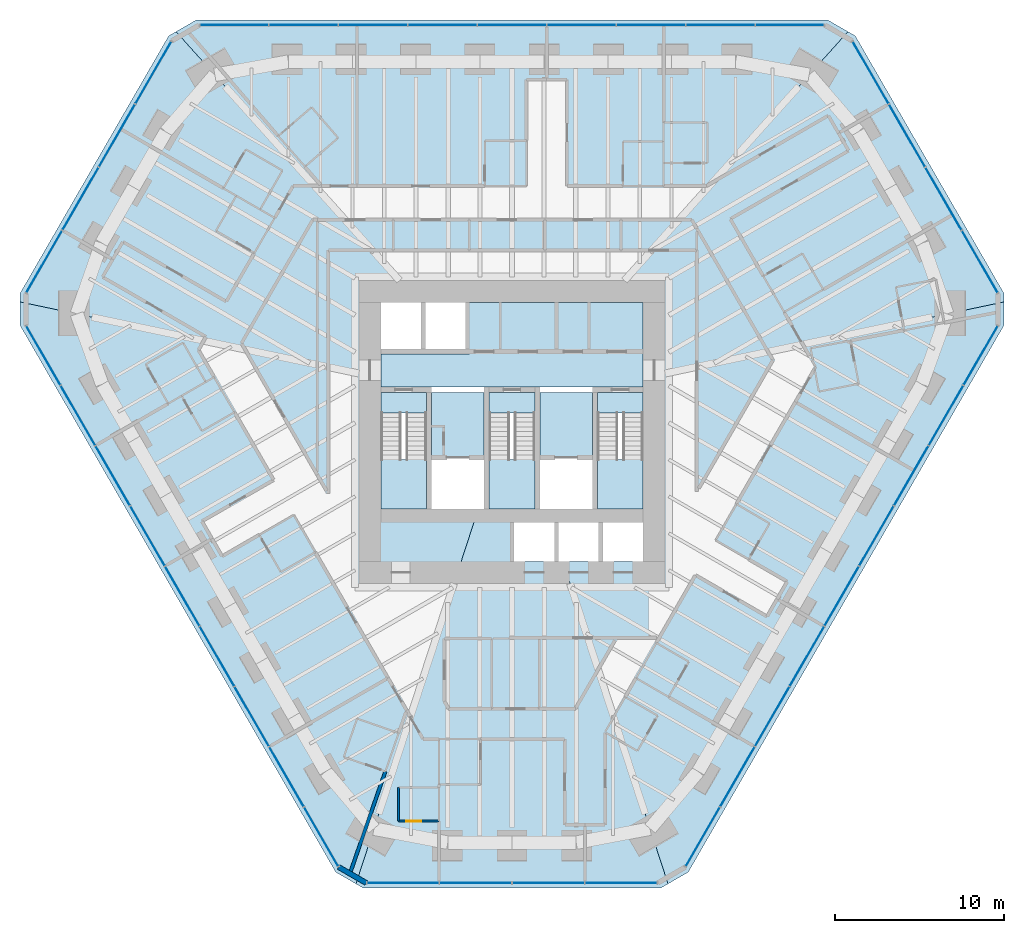
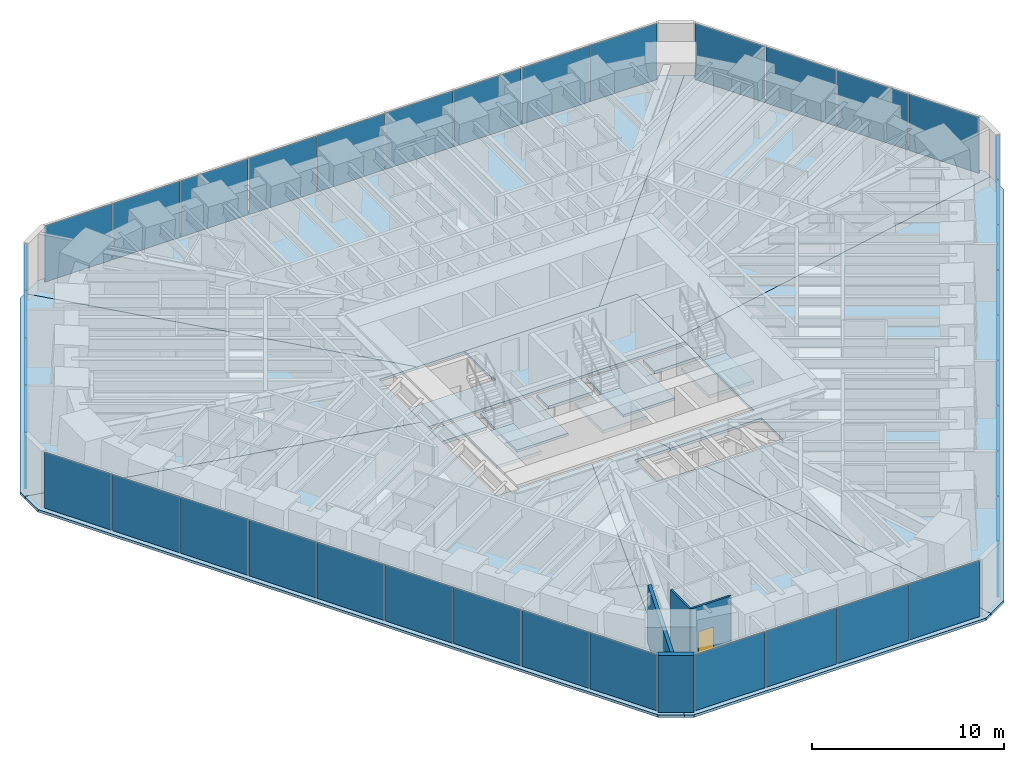
# One storey, part 10 of 17: 39 plates, 15 slabs, 4 walls, 1 door, 1 opening, 9 elements without a shape of their own.
"""IFC4 building model written with IfcOpenShell, lengths in metres."""

import ifcopenshell
import ifcopenshell.guid

model = None  # the IFC model being written
_history = None  # IfcOwnerHistory: only IFC2X3 demands one
_inside = {}  # id of a spatial element -> (the spatial element, [elements in it])
_under = {}  # id of a project, library or spatial element -> (it, [spatial elements below it])
_declared = {}  # id of a project -> (the project, [libraries it declares])
_typed = {}  # id of a type object -> (the type object, [elements of that type])
_made_of = {}  # id of a material, layer set ... -> (it, [elements and type objects made of it])


def new_model(schema):
    """Start an empty IFC model of exactly this schema.

    Asked for "IFC4X3", IfcOpenShell would pick the latest addendum, in which some entities
    have other attributes; the version numbers below select the first issue.
    IFC2X3 requires an IfcOwnerHistory on every rooted entity: one is made here for all.
    """
    global model, _history
    if schema == "IFC4X3":
        model = ifcopenshell.file(schema_version=(4, 3, 0, 0))
    else:
        model = ifcopenshell.file(schema=schema)
    _inside.clear()
    _under.clear()
    _declared.clear()
    _typed.clear()
    _made_of.clear()
    _history = None
    if model.schema == "IFC2X3":
        org = make("IfcOrganization", Name="unknown")
        user = make(
            "IfcPersonAndOrganization",
            ThePerson=make("IfcPerson", FamilyName="unknown"),
            TheOrganization=org,
        )
        app = make(
            "IfcApplication",
            ApplicationDeveloper=org,
            Version="unknown",
            ApplicationFullName="unknown",
            ApplicationIdentifier="unknown",
        )
        _history = make(
            "IfcOwnerHistory",
            OwningUser=user,
            OwningApplication=app,
            ChangeAction="ADDED",
            CreationDate=0,
        )
    return model


def make(cls, **values):
    """One entity of the class cls with the attributes given. An attribute that is None is left unset."""
    return model.create_entity(
        cls, **{name: value for name, value in values.items() if value is not None}
    )


def rooted(cls, **values):
    """An entity with a GlobalId (a new one), such as an element, a storey or a relation."""
    return make(cls, GlobalId=ifcopenshell.guid.new(), OwnerHistory=_history, **values)


def si_unit(unit_type, name, prefix=None):
    """IfcSIUnit, for example si_unit("LENGTHUNIT", "METRE", prefix="MILLI")."""
    return make("IfcSIUnit", UnitType=unit_type, Prefix=prefix, Name=name)


def assignment(units):
    """IfcUnitAssignment: the units of a project."""
    return None if units is None else make("IfcUnitAssignment", Units=units)


def point(xyz):
    """IfcCartesianPoint."""
    return None if xyz is None else make("IfcCartesianPoint", Coordinates=xyz)


def direction(xyz):
    """IfcDirection."""
    return None if xyz is None else make("IfcDirection", DirectionRatios=xyz)


def frame(location, z_axis=None, x_axis=None):
    """IfcAxis2Placement3D, a coordinate frame: its origin and axes. An axis left out is left unset."""
    return make(
        "IfcAxis2Placement3D",
        Location=point(location),
        Axis=direction(z_axis),
        RefDirection=direction(x_axis),
    )


def frame_2d(location, x_axis=None):
    """IfcAxis2Placement2D, a coordinate frame in the plane: its origin and x axis."""
    return make(
        "IfcAxis2Placement2D", Location=point(location), RefDirection=direction(x_axis)
    )


def origin():
    """The frame at (0, 0, 0) with its axes left unset."""
    return frame((0.0, 0.0, 0.0))


def origin_2d():
    """The frame at (0, 0) in the plane with its x axis left unset."""
    return frame_2d((0.0, 0.0))


def place(relative_to, where):
    """IfcLocalPlacement: puts the frame where relative to a parent placement (None: the world)."""
    return make(
        "IfcLocalPlacement", PlacementRelTo=relative_to, RelativePlacement=where
    )


def context(
    kind, dimensions, precision=None, world=None, true_north=None, identifier=None
):
    """IfcGeometricRepresentationContext, for example the 3D "Model" context."""
    return make(
        "IfcGeometricRepresentationContext",
        ContextIdentifier=identifier,
        ContextType=kind,
        CoordinateSpaceDimension=dimensions,
        Precision=precision,
        WorldCoordinateSystem=world,
        TrueNorth=true_north,
    )


def subcontext(parent, identifier, kind, view, scale=None):
    """IfcGeometricRepresentationSubContext, for example "Body" below "Model"."""
    return make(
        "IfcGeometricRepresentationSubContext",
        ContextIdentifier=identifier,
        ContextType=kind,
        ParentContext=parent,
        TargetScale=scale,
        TargetView=view,
    )


def project(units=None, contexts=None):
    """IfcProject with its units and contexts."""
    return rooted(
        "IfcProject",
        Name="project",
        RepresentationContexts=contexts,
        UnitsInContext=assignment(units),
    )


def spatial(cls, under=None, at=None, **own):
    """A site, building, storey or space (cls), placed at a placement, below another one or the project."""
    s = rooted(cls, ObjectPlacement=at, **own)
    if under is not None:
        _under.setdefault(under.id(), (under, []))[1].append(s)
    return s


def polyline(points):
    """IfcPolyline through the points."""
    return make("IfcPolyline", Points=[point(p) for p in points])


def profile(cls, at=None, kind="AREA", **sizes):
    """A parametric profile (cls). Its sizes go by their IFC names, for example OverallWidth=200.0."""
    return make(cls, ProfileType=kind, Position=at, **sizes)


def rectangle(**sizes):
    """IfcRectangleProfileDef."""
    return profile("IfcRectangleProfileDef", **sizes)


def outline(outer, holes=None, kind="AREA"):
    """IfcArbitraryClosedProfileDef: a profile drawn as a closed curve; with holes, ...WithVoids."""
    if holes is None:
        return make("IfcArbitraryClosedProfileDef", ProfileType=kind, OuterCurve=outer)
    return make(
        "IfcArbitraryProfileDefWithVoids",
        ProfileType=kind,
        OuterCurve=outer,
        InnerCurves=holes,
    )


def extrude(swept, where, along, depth):
    """IfcExtrudedAreaSolid: the profile swept, set in the frame where, extruded along a direction by depth."""
    return make(
        "IfcExtrudedAreaSolid",
        SweptArea=swept,
        Position=where,
        ExtrudedDirection=direction(along),
        Depth=depth,
    )


def shape(context_of_items, identifier, shape_type, items):
    """IfcShapeRepresentation: the items that make up one representation, for example the "Body"."""
    return make(
        "IfcShapeRepresentation",
        ContextOfItems=context_of_items,
        RepresentationIdentifier=identifier,
        RepresentationType=shape_type,
        Items=items,
    )


def material(Name=None, Category=None):
    """IfcMaterial."""
    return make("IfcMaterial", Name=Name, Category=Category)


def layer(
    of_material, thickness, ventilated=None, Name=None, Category=None, Priority=None
):
    """IfcMaterialLayer: one layer of a wall or slab, of a material (None: an air gap)."""
    return make(
        "IfcMaterialLayer",
        Material=of_material,
        LayerThickness=thickness,
        IsVentilated=ventilated,
        Name=Name,
        Category=Category,
        Priority=Priority,
    )


def layer_set(layers, Name=None):
    """IfcMaterialLayerSet."""
    return make("IfcMaterialLayerSet", MaterialLayers=layers, LayerSetName=Name)


def made_of(thing, what):
    """Note that an element or type object is made of a material, layer set ...; save() writes the relation."""
    if what is not None:
        _made_of.setdefault(what.id(), (what, []))[1].append(thing)
    return thing


def type_object(cls, material=None, **own):
    """A type object (cls), such as IfcWallType, which elements share."""
    return made_of(rooted(cls, **own), material)


def element(
    cls,
    number,
    at=None,
    inside=None,
    cuts=None,
    type_object=None,
    material=None,
    context=None,
    identifier="Body",
    shape_type=None,
    held_by="IfcProductDefinitionShape",
    body=None,
    shapes=None,
    **own,
):
    """One element of the class cls, such as IfcWall. Its Tag is "e" and its number.

    at: its placement. inside: the storey or other place that contains it. cuts: it is an
    opening in that element (IfcRelVoidsElement). A single representation is given by context,
    identifier, shape_type and body (its items); several are given by shapes. held_by: the class
    of the entity that holds the representations. save() writes the other relations.
    """
    e = rooted(cls, Tag="e%d" % number, ObjectPlacement=at, **own)
    if body is not None:
        shapes = [shape(context, identifier, shape_type, body)]
    if shapes is not None:
        e.Representation = make(held_by, Representations=shapes)
    if inside is not None:
        _inside.setdefault(inside.id(), (inside, []))[1].append(e)
    if cuts is not None:
        rooted(
            "IfcRelVoidsElement", RelatingBuildingElement=cuts, RelatedOpeningElement=e
        )
    if type_object is not None:
        _typed.setdefault(type_object.id(), (type_object, []))[1].append(e)
    return made_of(e, material)


def fill(opening, filler):
    """IfcRelFillsElement: the door or window that sits in an opening."""
    return rooted(
        "IfcRelFillsElement",
        RelatingOpeningElement=opening,
        RelatedBuildingElement=filler,
    )


def aggregate(whole, parts):
    """IfcRelAggregates: a whole, such as a stair, and the parts it consists of."""
    return rooted("IfcRelAggregates", RelatingObject=whole, RelatedObjects=parts)


def save(model, path):
    """Write the relations noted so far, then the file.

    IfcRelAggregates (storeys below a building ...), IfcRelContainedInSpatialStructure (elements
    in a storey), IfcRelDefinesByType, IfcRelAssociatesMaterial and IfcRelDeclares: one each for
    every whole, place, type object, material and project.
    """
    for whole, parts in _under.values():
        aggregate(whole, parts)
    for where, things in _inside.values():
        rooted(
            "IfcRelContainedInSpatialStructure",
            RelatedElements=things,
            RelatingStructure=where,
        )
    for kind, things in _typed.values():
        rooted("IfcRelDefinesByType", RelatedObjects=things, RelatingType=kind)
    for what, things in _made_of.values():
        rooted("IfcRelAssociatesMaterial", RelatedObjects=things, RelatingMaterial=what)
    for by, libraries in _declared.values():
        rooted("IfcRelDeclares", RelatingContext=by, RelatedDefinitions=libraries)
    model.write(path)


model = new_model("IFC4")

# Units and contexts
model_context = context("Model", 3, precision=1e-05, world=origin(), true_north=direction((0.0, 1.0)))
body_context = subcontext(model_context, "Body", "Model", "MODEL_VIEW")
ifc_project = project(units=[si_unit("LENGTHUNIT", "METRE"), si_unit("AREAUNIT", "SQUARE_METRE"), si_unit("VOLUMEUNIT", "CUBIC_METRE"), si_unit("PLANEANGLEUNIT", "RADIAN"), si_unit("MASSUNIT", "GRAM", prefix="KILO")], contexts=[model_context])

# Site, building, storey
site_placement = place(None, origin())
site = spatial("IfcSite", under=ifc_project, at=site_placement, CompositionType="ELEMENT")
building_placement = place(site_placement, origin())
building = spatial("IfcBuilding", under=site, at=building_placement, Name="Sandreach Pilgrim Tower", CompositionType="ELEMENT")
storey_placement = place(building_placement, frame((0.0, 0.0, 165.199951171875)))
storey = spatial("IfcBuildingStorey", under=building, at=storey_placement, Name="L41", CompositionType="ELEMENT", Elevation=165.199951171875)

# Curtain wall, plates
ifc_material_1 = material(Name="Aluminium framed curtain wall", Category="aluminium")
curtain_wall_type = type_object("IfcCurtainWallType", Name="Hotel tower curtain wall", PredefinedType="NOTDEFINED", material=ifc_material_1)
curtain_wall_1_placement = place(storey_placement, origin())
curtain_wall_1 = element("IfcCurtainWall", 1, at=curtain_wall_1_placement, inside=storey, type_object=curtain_wall_type, Name="CW-2 L41 N", PredefinedType="NOTDEFINED")
ifc_material_2 = material(Name="Insulating glass unit 8 heat-strengthened + 16 argon + 8 heat-strengthened", Category="glass")
ifc_layer_1 = layer(ifc_material_2, 0.031982421875)
ifc_layer_set_1 = layer_set([ifc_layer_1], Name="CW-2 panel")
plate_type = type_object("IfcPlateType", Name="CW-2 panel", PredefinedType="CURTAIN_PANEL", material=ifc_layer_set_1)
plate_1_placement = place(storey_placement, frame((-16.41162109375, 22.493896484375, 0.0), z_axis=(0.0, 0.0, 1.0), x_axis=(1.0, 0.0, 0.0)))
plate_1 = element("IfcPlate", 2, at=plate_1_placement, type_object=plate_type, Name="CW-2 panel 1", PredefinedType="CURTAIN_PANEL", context=body_context, shape_type="SweptSolid", body=[
    extrude(rectangle(XDim=4.009521484375, YDim=0.031982421875, at=origin_2d()), origin(), (0.0, 0.0, 1.0), 3.570068359375),
])
plate_2_placement = place(storey_placement, frame((-12.32080078125, 22.493896484375, 0.0), z_axis=(0.0, 0.0, 1.0), x_axis=(1.0, 0.0, 0.0)))
plate_2 = element("IfcPlate", 3, at=plate_2_placement, type_object=plate_type, Name="CW-2 panel 2", PredefinedType="CURTAIN_PANEL", context=body_context, shape_type="SweptSolid", body=[
    extrude(rectangle(XDim=4.0419921875, YDim=0.031982421875, at=origin_2d()), origin(), (0.0, 0.0, 1.0), 3.570068359375),
])
plate_3_placement = place(storey_placement, frame((-8.2138671875, 22.493896484375, 0.0), z_axis=(0.0, 0.0, 1.0), x_axis=(1.0, 0.0, 0.0)))
plate_3 = element("IfcPlate", 4, at=plate_3_placement, type_object=plate_type, Name="CW-2 panel 3", PredefinedType="CURTAIN_PANEL", context=body_context, shape_type="SweptSolid", body=[
    extrude(rectangle(XDim=4.0419921875, YDim=0.031982421875, at=origin_2d()), origin(), (0.0, 0.0, 1.0), 3.570068359375),
])
plate_4_placement = place(storey_placement, frame((-4.10693359375, 22.493896484375, 0.0), z_axis=(0.0, 0.0, 1.0), x_axis=(1.0, 0.0, 0.0)))
plate_4 = element("IfcPlate", 5, at=plate_4_placement, type_object=plate_type, Name="CW-2 panel 4", PredefinedType="CURTAIN_PANEL", context=body_context, shape_type="SweptSolid", body=[
    extrude(rectangle(XDim=4.0419921875, YDim=0.031982421875, at=origin_2d()), origin(), (0.0, 0.0, 1.0), 3.570068359375),
])
plate_5_placement = place(storey_placement, frame((0.0, 22.493896484375, 0.0), z_axis=(0.0, 0.0, 1.0), x_axis=(1.0, 0.0, 0.0)))
plate_5 = element("IfcPlate", 6, at=plate_5_placement, type_object=plate_type, Name="CW-2 panel 5", PredefinedType="CURTAIN_PANEL", context=body_context, shape_type="SweptSolid", body=[
    extrude(rectangle(XDim=4.0419921875, YDim=0.031982421875, at=origin_2d()), origin(), (0.0, 0.0, 1.0), 3.570068359375),
])
plate_6_placement = place(storey_placement, frame((4.10693359375, 22.493896484375, 0.0), z_axis=(0.0, 0.0, 1.0), x_axis=(1.0, 0.0, 0.0)))
plate_6 = element("IfcPlate", 7, at=plate_6_placement, type_object=plate_type, Name="CW-2 panel 6", PredefinedType="CURTAIN_PANEL", context=body_context, shape_type="SweptSolid", body=[
    extrude(rectangle(XDim=4.0419921875, YDim=0.031982421875, at=origin_2d()), origin(), (0.0, 0.0, 1.0), 3.570068359375),
])
plate_7_placement = place(storey_placement, frame((8.2138671875, 22.493896484375, 0.0), z_axis=(0.0, 0.0, 1.0), x_axis=(1.0, 0.0, 0.0)))
plate_7 = element("IfcPlate", 8, at=plate_7_placement, type_object=plate_type, Name="CW-2 panel 7", PredefinedType="CURTAIN_PANEL", context=body_context, shape_type="SweptSolid", body=[
    extrude(rectangle(XDim=4.0419921875, YDim=0.031982421875, at=origin_2d()), origin(), (0.0, 0.0, 1.0), 3.570068359375),
])
plate_8_placement = place(storey_placement, frame((12.32080078125, 22.493896484375, 0.0), z_axis=(0.0, 0.0, 1.0), x_axis=(1.0, 0.0, 0.0)))
plate_8 = element("IfcPlate", 9, at=plate_8_placement, type_object=plate_type, Name="CW-2 panel 8", PredefinedType="CURTAIN_PANEL", context=body_context, shape_type="SweptSolid", body=[
    extrude(rectangle(XDim=4.0419921875, YDim=0.031982421875, at=origin_2d()), origin(), (0.0, 0.0, 1.0), 3.570068359375),
])
plate_9_placement = place(storey_placement, frame((16.41162109375, 22.493896484375, 0.0), z_axis=(0.0, 0.0, 1.0), x_axis=(1.0, 0.0, 0.0)))
plate_9 = element("IfcPlate", 10, at=plate_9_placement, type_object=plate_type, Name="CW-2 panel 9", PredefinedType="CURTAIN_PANEL", context=body_context, shape_type="SweptSolid", body=[
    extrude(rectangle(XDim=4.009521484375, YDim=0.031982421875, at=origin_2d()), origin(), (0.0, 0.0, 1.0), 3.570068359375),
])
aggregate(curtain_wall_1, [plate_1, plate_2, plate_3, plate_4, plate_5, plate_6, plate_7, plate_8, plate_9])

curtain_wall_2_placement = place(storey_placement, origin())
curtain_wall_2 = element("IfcCurtainWall", 11, at=curtain_wall_2_placement, inside=storey, type_object=curtain_wall_type, Name="CW-2 L41 NE", PredefinedType="NOTDEFINED")
plate_10_placement = place(storey_placement, frame((21.194091796875, 19.67529296875, 0.0), z_axis=(0.0, 0.0, 1.0), x_axis=(0.5, -0.866025403784, 0.0)))
plate_10 = element("IfcPlate", 12, at=plate_10_placement, type_object=plate_type, Name="CW-2 panel 1", PredefinedType="CURTAIN_PANEL", context=body_context, shape_type="SweptSolid", body=[
    extrude(rectangle(XDim=4.208251953125, YDim=0.031982421875, at=origin_2d()), origin(), (0.0, 0.0, 1.0), 3.570068359375),
])
plate_11_placement = place(storey_placement, frame((23.3388671875, 15.96044921875, 0.0), z_axis=(0.0, 0.0, 1.0), x_axis=(0.5, -0.866025403784, 0.0)))
plate_11 = element("IfcPlate", 13, at=plate_11_placement, type_object=plate_type, Name="CW-2 panel 2", PredefinedType="CURTAIN_PANEL", context=body_context, shape_type="SweptSolid", body=[
    extrude(rectangle(XDim=4.24072265625, YDim=0.031982421875, at=origin_2d()), origin(), (0.0, 0.0, 1.0), 3.570068359375),
])
plate_12_placement = place(storey_placement, frame((25.49169921875, 12.231689453125, 0.0), z_axis=(0.0, 0.0, 1.0), x_axis=(0.5, -0.866025403784, 0.0)))
plate_12 = element("IfcPlate", 14, at=plate_12_placement, type_object=plate_type, Name="CW-2 panel 3", PredefinedType="CURTAIN_PANEL", context=body_context, shape_type="SweptSolid", body=[
    extrude(rectangle(XDim=4.24072265625, YDim=0.031982421875, at=origin_2d()), origin(), (0.0, 0.0, 1.0), 3.570068359375),
])
plate_13_placement = place(storey_placement, frame((27.63623046875, 8.516845703125, 0.0), z_axis=(0.0, 0.0, 1.0), x_axis=(0.5, -0.866025403784, 0.0)))
plate_13 = element("IfcPlate", 15, at=plate_13_placement, type_object=plate_type, Name="CW-2 panel 4", PredefinedType="CURTAIN_PANEL", context=body_context, shape_type="SweptSolid", body=[
    extrude(rectangle(XDim=4.208251953125, YDim=0.031982421875, at=origin_2d()), origin(), (0.0, 0.0, 1.0), 3.570068359375),
])
aggregate(curtain_wall_2, [plate_10, plate_11, plate_12, plate_13])

curtain_wall_3_placement = place(storey_placement, origin())
curtain_wall_3 = element("IfcCurtainWall", 16, at=curtain_wall_3_placement, inside=storey, type_object=curtain_wall_type, Name="CW-2 L41 SE", PredefinedType="NOTDEFINED")
plate_14_placement = place(storey_placement, frame((27.68603515625, 2.966064453125, 0.0), z_axis=(0.0, 0.0, 1.0), x_axis=(-0.5, -0.866025403784, 0.0)))
plate_14 = element("IfcPlate", 17, at=plate_14_placement, type_object=plate_type, Name="CW-2 panel 1", PredefinedType="CURTAIN_PANEL", context=body_context, shape_type="SweptSolid", body=[
    extrude(rectangle(XDim=4.009521484375, YDim=0.031982421875, at=origin_2d()), origin(), (0.0, 0.0, 1.0), 3.570068359375),
])
plate_15_placement = place(storey_placement, frame((25.640625, -0.57666015625, 0.0), z_axis=(0.0, 0.0, 1.0), x_axis=(-0.5, -0.866025403784, 0.0)))
plate_15 = element("IfcPlate", 18, at=plate_15_placement, type_object=plate_type, Name="CW-2 panel 2", PredefinedType="CURTAIN_PANEL", context=body_context, shape_type="SweptSolid", body=[
    extrude(rectangle(XDim=4.0419921875, YDim=0.031982421875, at=origin_2d()), origin(), (0.0, 0.0, 1.0), 3.570068359375),
])
plate_16_placement = place(storey_placement, frame((23.587158203125, -4.13330078125, 0.0), z_axis=(0.0, 0.0, 1.0), x_axis=(-0.5, -0.866025403784, 0.0)))
plate_16 = element("IfcPlate", 19, at=plate_16_placement, type_object=plate_type, Name="CW-2 panel 3", PredefinedType="CURTAIN_PANEL", context=body_context, shape_type="SweptSolid", body=[
    extrude(rectangle(XDim=4.0419921875, YDim=0.031982421875, at=origin_2d()), origin(), (0.0, 0.0, 1.0), 3.570068359375),
])
plate_17_placement = place(storey_placement, frame((21.53369140625, -7.690185546875, 0.0), z_axis=(0.0, 0.0, 1.0), x_axis=(-0.5, -0.866025403784, 0.0)))
plate_17 = element("IfcPlate", 20, at=plate_17_placement, type_object=plate_type, Name="CW-2 panel 4", PredefinedType="CURTAIN_PANEL", context=body_context, shape_type="SweptSolid", body=[
    extrude(rectangle(XDim=4.0419921875, YDim=0.031982421875, at=origin_2d()), origin(), (0.0, 0.0, 1.0), 3.570068359375),
])
plate_18_placement = place(storey_placement, frame((19.480224609375, -11.246826171875, 0.0), z_axis=(0.0, 0.0, 1.0), x_axis=(-0.5, -0.866025403784, 0.0)))
plate_18 = element("IfcPlate", 21, at=plate_18_placement, type_object=plate_type, Name="CW-2 panel 5", PredefinedType="CURTAIN_PANEL", context=body_context, shape_type="SweptSolid", body=[
    extrude(rectangle(XDim=4.0419921875, YDim=0.031982421875, at=origin_2d()), origin(), (0.0, 0.0, 1.0), 3.570068359375),
])
plate_19_placement = place(storey_placement, frame((17.4267578125, -14.8037109375, 0.0), z_axis=(0.0, 0.0, 1.0), x_axis=(-0.5, -0.866025403784, 0.0)))
plate_19 = element("IfcPlate", 22, at=plate_19_placement, type_object=plate_type, Name="CW-2 panel 6", PredefinedType="CURTAIN_PANEL", context=body_context, shape_type="SweptSolid", body=[
    extrude(rectangle(XDim=4.0419921875, YDim=0.031982421875, at=origin_2d()), origin(), (0.0, 0.0, 1.0), 3.570068359375),
])
plate_20_placement = place(storey_placement, frame((15.373291015625, -18.3603515625, 0.0), z_axis=(0.0, 0.0, 1.0), x_axis=(-0.5, -0.866025403784, 0.0)))
plate_20 = element("IfcPlate", 23, at=plate_20_placement, type_object=plate_type, Name="CW-2 panel 7", PredefinedType="CURTAIN_PANEL", context=body_context, shape_type="SweptSolid", body=[
    extrude(rectangle(XDim=4.0419921875, YDim=0.031982421875, at=origin_2d()), origin(), (0.0, 0.0, 1.0), 3.570068359375),
])
plate_21_placement = place(storey_placement, frame((13.31982421875, -21.917236328125, 0.0), z_axis=(0.0, 0.0, 1.0), x_axis=(-0.5, -0.866025403784, 0.0)))
plate_21 = element("IfcPlate", 24, at=plate_21_placement, type_object=plate_type, Name="CW-2 panel 8", PredefinedType="CURTAIN_PANEL", context=body_context, shape_type="SweptSolid", body=[
    extrude(rectangle(XDim=4.0419921875, YDim=0.031982421875, at=origin_2d()), origin(), (0.0, 0.0, 1.0), 3.570068359375),
])
plate_22_placement = place(storey_placement, frame((11.2744140625, -25.459716796875, 0.0), z_axis=(0.0, 0.0, 1.0), x_axis=(-0.5, -0.866025403784, 0.0)))
plate_22 = element("IfcPlate", 25, at=plate_22_placement, type_object=plate_type, Name="CW-2 panel 9", PredefinedType="CURTAIN_PANEL", context=body_context, shape_type="SweptSolid", body=[
    extrude(rectangle(XDim=4.009521484375, YDim=0.031982421875, at=origin_2d()), origin(), (0.0, 0.0, 1.0), 3.570068359375),
])
aggregate(curtain_wall_3, [plate_14, plate_15, plate_16, plate_17, plate_18, plate_19, plate_20, plate_21, plate_22])

curtain_wall_4_placement = place(storey_placement, origin())
curtain_wall_4 = element("IfcCurtainWall", 26, at=curtain_wall_4_placement, inside=storey, type_object=curtain_wall_type, Name="CW-2 L41 S", PredefinedType="NOTDEFINED")
plate_23_placement = place(storey_placement, frame((6.4423828125, -28.192138671875, 0.0), z_axis=(0.0, 0.0, 1.0), x_axis=(-1.0, 0.0, 0.0)))
plate_23 = element("IfcPlate", 27, at=plate_23_placement, type_object=plate_type, Name="CW-2 panel 1", PredefinedType="CURTAIN_PANEL", context=body_context, shape_type="SweptSolid", body=[
    extrude(rectangle(XDim=4.208251953125, YDim=0.031982421875, at=origin_2d()), origin(), (0.0, 0.0, 1.0), 3.570068359375),
])
plate_24_placement = place(storey_placement, frame((2.15283203125, -28.192138671875, 0.0), z_axis=(0.0, 0.0, 1.0), x_axis=(-1.0, 0.0, 0.0)))
plate_24 = element("IfcPlate", 28, at=plate_24_placement, type_object=plate_type, Name="CW-2 panel 2", PredefinedType="CURTAIN_PANEL", context=body_context, shape_type="SweptSolid", body=[
    extrude(rectangle(XDim=4.24072265625, YDim=0.031982421875, at=origin_2d()), origin(), (0.0, 0.0, 1.0), 3.570068359375),
])
plate_25_placement = place(storey_placement, frame((-2.15283203125, -28.192138671875, 0.0), z_axis=(0.0, 0.0, 1.0), x_axis=(-1.0, 0.0, 0.0)))
plate_25 = element("IfcPlate", 29, at=plate_25_placement, type_object=plate_type, Name="CW-2 panel 3", PredefinedType="CURTAIN_PANEL", context=body_context, shape_type="SweptSolid", body=[
    extrude(rectangle(XDim=4.24072265625, YDim=0.031982421875, at=origin_2d()), origin(), (0.0, 0.0, 1.0), 3.570068359375),
])
plate_26_placement = place(storey_placement, frame((-6.4423828125, -28.192138671875, 0.0), z_axis=(0.0, 0.0, 1.0), x_axis=(-1.0, 0.0, 0.0)))
plate_26 = element("IfcPlate", 30, at=plate_26_placement, type_object=plate_type, Name="CW-2 panel 4", PredefinedType="CURTAIN_PANEL", context=body_context, shape_type="SweptSolid", body=[
    extrude(rectangle(XDim=4.208251953125, YDim=0.031982421875, at=origin_2d()), origin(), (0.0, 0.0, 1.0), 3.570068359375),
])
aggregate(curtain_wall_4, [plate_23, plate_24, plate_25, plate_26])

curtain_wall_5_placement = place(storey_placement, origin())
curtain_wall_5 = element("IfcCurtainWall", 31, at=curtain_wall_5_placement, inside=storey, type_object=curtain_wall_type, Name="CW-2 L41 SW", PredefinedType="NOTDEFINED")
plate_27_placement = place(storey_placement, frame((-11.2744140625, -25.459716796875, 0.0), z_axis=(0.0, 0.0, 1.0), x_axis=(-0.5, 0.866025403784, 0.0)))
plate_27 = element("IfcPlate", 32, at=plate_27_placement, type_object=plate_type, Name="CW-2 panel 1", PredefinedType="CURTAIN_PANEL", context=body_context, shape_type="SweptSolid", body=[
    extrude(rectangle(XDim=4.009521484375, YDim=0.031982421875, at=origin_2d()), origin(), (0.0, 0.0, 1.0), 3.570068359375),
])
plate_28_placement = place(storey_placement, frame((-13.31982421875, -21.917236328125, 0.0), z_axis=(0.0, 0.0, 1.0), x_axis=(-0.5, 0.866025403784, 0.0)))
plate_28 = element("IfcPlate", 33, at=plate_28_placement, type_object=plate_type, Name="CW-2 panel 2", PredefinedType="CURTAIN_PANEL", context=body_context, shape_type="SweptSolid", body=[
    extrude(rectangle(XDim=4.0419921875, YDim=0.031982421875, at=origin_2d()), origin(), (0.0, 0.0, 1.0), 3.570068359375),
])
plate_29_placement = place(storey_placement, frame((-15.373291015625, -18.3603515625, 0.0), z_axis=(0.0, 0.0, 1.0), x_axis=(-0.5, 0.866025403784, 0.0)))
plate_29 = element("IfcPlate", 34, at=plate_29_placement, type_object=plate_type, Name="CW-2 panel 3", PredefinedType="CURTAIN_PANEL", context=body_context, shape_type="SweptSolid", body=[
    extrude(rectangle(XDim=4.0419921875, YDim=0.031982421875, at=origin_2d()), origin(), (0.0, 0.0, 1.0), 3.570068359375),
])
plate_30_placement = place(storey_placement, frame((-17.4267578125, -14.8037109375, 0.0), z_axis=(0.0, 0.0, 1.0), x_axis=(-0.5, 0.866025403784, 0.0)))
plate_30 = element("IfcPlate", 35, at=plate_30_placement, type_object=plate_type, Name="CW-2 panel 4", PredefinedType="CURTAIN_PANEL", context=body_context, shape_type="SweptSolid", body=[
    extrude(rectangle(XDim=4.0419921875, YDim=0.031982421875, at=origin_2d()), origin(), (0.0, 0.0, 1.0), 3.570068359375),
])
plate_31_placement = place(storey_placement, frame((-19.480224609375, -11.246826171875, 0.0), z_axis=(0.0, 0.0, 1.0), x_axis=(-0.5, 0.866025403784, 0.0)))
plate_31 = element("IfcPlate", 36, at=plate_31_placement, type_object=plate_type, Name="CW-2 panel 5", PredefinedType="CURTAIN_PANEL", context=body_context, shape_type="SweptSolid", body=[
    extrude(rectangle(XDim=4.0419921875, YDim=0.031982421875, at=origin_2d()), origin(), (0.0, 0.0, 1.0), 3.570068359375),
])
plate_32_placement = place(storey_placement, frame((-21.53369140625, -7.690185546875, 0.0), z_axis=(0.0, 0.0, 1.0), x_axis=(-0.5, 0.866025403784, 0.0)))
plate_32 = element("IfcPlate", 37, at=plate_32_placement, type_object=plate_type, Name="CW-2 panel 6", PredefinedType="CURTAIN_PANEL", context=body_context, shape_type="SweptSolid", body=[
    extrude(rectangle(XDim=4.0419921875, YDim=0.031982421875, at=origin_2d()), origin(), (0.0, 0.0, 1.0), 3.570068359375),
])
plate_33_placement = place(storey_placement, frame((-23.587158203125, -4.13330078125, 0.0), z_axis=(0.0, 0.0, 1.0), x_axis=(-0.5, 0.866025403784, 0.0)))
plate_33 = element("IfcPlate", 38, at=plate_33_placement, type_object=plate_type, Name="CW-2 panel 7", PredefinedType="CURTAIN_PANEL", context=body_context, shape_type="SweptSolid", body=[
    extrude(rectangle(XDim=4.0419921875, YDim=0.031982421875, at=origin_2d()), origin(), (0.0, 0.0, 1.0), 3.570068359375),
])
plate_34_placement = place(storey_placement, frame((-25.640625, -0.57666015625, 0.0), z_axis=(0.0, 0.0, 1.0), x_axis=(-0.5, 0.866025403784, 0.0)))
plate_34 = element("IfcPlate", 39, at=plate_34_placement, type_object=plate_type, Name="CW-2 panel 8", PredefinedType="CURTAIN_PANEL", context=body_context, shape_type="SweptSolid", body=[
    extrude(rectangle(XDim=4.0419921875, YDim=0.031982421875, at=origin_2d()), origin(), (0.0, 0.0, 1.0), 3.570068359375),
])
plate_35_placement = place(storey_placement, frame((-27.68603515625, 2.966064453125, 0.0), z_axis=(0.0, 0.0, 1.0), x_axis=(-0.5, 0.866025403784, 0.0)))
plate_35 = element("IfcPlate", 40, at=plate_35_placement, type_object=plate_type, Name="CW-2 panel 9", PredefinedType="CURTAIN_PANEL", context=body_context, shape_type="SweptSolid", body=[
    extrude(rectangle(XDim=4.009521484375, YDim=0.031982421875, at=origin_2d()), origin(), (0.0, 0.0, 1.0), 3.570068359375),
])
aggregate(curtain_wall_5, [plate_27, plate_28, plate_29, plate_30, plate_31, plate_32, plate_33, plate_34, plate_35])

curtain_wall_6_placement = place(storey_placement, origin())
curtain_wall_6 = element("IfcCurtainWall", 41, at=curtain_wall_6_placement, inside=storey, type_object=curtain_wall_type, Name="CW-2 L41 NW", PredefinedType="NOTDEFINED")
plate_36_placement = place(storey_placement, frame((-27.63623046875, 8.516845703125, 0.0), z_axis=(0.0, 0.0, 1.0), x_axis=(0.5, 0.866025403784, 0.0)))
plate_36 = element("IfcPlate", 42, at=plate_36_placement, type_object=plate_type, Name="CW-2 panel 1", PredefinedType="CURTAIN_PANEL", context=body_context, shape_type="SweptSolid", body=[
    extrude(rectangle(XDim=4.208251953125, YDim=0.031982421875, at=origin_2d()), origin(), (0.0, 0.0, 1.0), 3.570068359375),
])
plate_37_placement = place(storey_placement, frame((-25.49169921875, 12.231689453125, 0.0), z_axis=(0.0, 0.0, 1.0), x_axis=(0.5, 0.866025403784, 0.0)))
plate_37 = element("IfcPlate", 43, at=plate_37_placement, type_object=plate_type, Name="CW-2 panel 2", PredefinedType="CURTAIN_PANEL", context=body_context, shape_type="SweptSolid", body=[
    extrude(rectangle(XDim=4.24072265625, YDim=0.031982421875, at=origin_2d()), origin(), (0.0, 0.0, 1.0), 3.570068359375),
])
plate_38_placement = place(storey_placement, frame((-23.3388671875, 15.96044921875, 0.0), z_axis=(0.0, 0.0, 1.0), x_axis=(0.5, 0.866025403784, 0.0)))
plate_38 = element("IfcPlate", 44, at=plate_38_placement, type_object=plate_type, Name="CW-2 panel 3", PredefinedType="CURTAIN_PANEL", context=body_context, shape_type="SweptSolid", body=[
    extrude(rectangle(XDim=4.24072265625, YDim=0.031982421875, at=origin_2d()), origin(), (0.0, 0.0, 1.0), 3.570068359375),
])
plate_39_placement = place(storey_placement, frame((-21.194091796875, 19.67529296875, 0.0), z_axis=(0.0, 0.0, 1.0), x_axis=(0.5, 0.866025403784, 0.0)))
plate_39 = element("IfcPlate", 45, at=plate_39_placement, type_object=plate_type, Name="CW-2 panel 4", PredefinedType="CURTAIN_PANEL", context=body_context, shape_type="SweptSolid", body=[
    extrude(rectangle(XDim=4.208251953125, YDim=0.031982421875, at=origin_2d()), origin(), (0.0, 0.0, 1.0), 3.570068359375),
])
aggregate(curtain_wall_6, [plate_36, plate_37, plate_38, plate_39])

# Slabs
ifc_material_3 = material(Name="Concrete 8000 psi", Category="concrete")
ifc_layer_2 = layer(ifc_material_3, 0.159912109375)
ifc_layer_set_2 = layer_set([ifc_layer_2], Name="Composite floor slab 160")
slab_type_1 = type_object("IfcSlabType", Name="Composite floor slab 160", PredefinedType="FLOOR", material=ifc_layer_set_2)
slab_1_placement = place(storey_placement, frame((0.0, 0.0, -0.159912109375)))
element("IfcSlab", 46, at=slab_1_placement, inside=storey, type_object=slab_type_1, Name="Floor slab L41 N sector", PredefinedType="FLOOR", context=body_context, shape_type="SweptSolid", body=[
    extrude(outline(polyline([(-18.654541015625, 22.793701171875), (18.654541015625, 22.793701171875), (19.848388671875, 22.1044921875), (5.477294921875, 6.10009765625), (-5.477294921875, 6.10009765625), (-19.848388671875, 22.1044921875), (-18.654541015625, 22.793701171875)])), origin(), (0.0, 0.0, 1.0), 0.159912109375),
])
slab_2_placement = place(storey_placement, frame((0.0, 0.0, -0.159912109375)))
element("IfcSlab", 47, at=slab_2_placement, inside=storey, type_object=slab_type_1, Name="Floor slab L41 NE sector", PredefinedType="FLOOR", context=body_context, shape_type="SweptSolid", body=[
    extrude(outline(polyline([(20.28271484375, 21.853759765625), (29.0673828125, 6.638427734375), (29.0673828125, 6.13720703125), (7.75, 1.63623046875), (7.75, 6.10009765625), (5.477294921875, 6.10009765625), (19.848388671875, 22.1044921875), (20.28271484375, 21.853759765625)])), origin(), (0.0, 0.0, 1.0), 0.159912109375),
])
slab_3_placement = place(storey_placement, frame((0.0, 0.0, -0.159912109375)))
element("IfcSlab", 48, at=slab_3_placement, inside=storey, type_object=slab_type_1, Name="Floor slab L41 SE sector", PredefinedType="FLOOR", context=body_context, shape_type="SweptSolid", body=[
    extrude(outline(polyline([(29.0673828125, 4.75830078125), (10.41259765625, -27.55224609375), (9.21875, -28.241455078125), (3.003173828125, -9.199951171875), (7.75, -9.199951171875), (7.75, -6.89990234375), (2.252197265625, -6.89990234375), (1.9912109375, -6.10009765625), (7.75, -6.10009765625), (7.75, 1.63623046875), (29.0673828125, 6.13720703125), (29.0673828125, 4.75830078125)])), origin(), (0.0, 0.0, 1.0), 0.159912109375),
])
slab_4_placement = place(storey_placement, frame((0.0, 0.0, -0.159912109375)))
element("IfcSlab", 49, at=slab_4_placement, inside=storey, type_object=slab_type_1, Name="Floor slab L41 S sector", PredefinedType="FLOOR", context=body_context, shape_type="SweptSolid", body=[
    extrude(outline(polyline([(8.78466796875, -28.4921875), (-8.78466796875, -28.4921875), (-9.21875, -28.241455078125), (-1.9912109375, -6.10009765625), (1.9912109375, -6.10009765625), (2.252197265625, -6.89990234375), (0.125, -6.89990234375), (0.125, -9.199951171875), (3.003173828125, -9.199951171875), (9.21875, -28.241455078125), (8.78466796875, -28.4921875)])), origin(), (0.0, 0.0, 1.0), 0.159912109375),
])
slab_5_placement = place(storey_placement, frame((0.0, 0.0, -0.159912109375)))
element("IfcSlab", 50, at=slab_5_placement, inside=storey, type_object=slab_type_1, Name="Floor slab L41 SW sector", PredefinedType="FLOOR", context=body_context, shape_type="SweptSolid", body=[
    extrude(outline(polyline([(-10.41259765625, -27.55224609375), (-29.0673828125, 4.75830078125), (-29.0673828125, 6.13720703125), (-7.75, 1.63623046875), (-7.75, -6.10009765625), (-1.9912109375, -6.10009765625), (-9.21875, -28.241455078125), (-10.41259765625, -27.55224609375)])), origin(), (0.0, 0.0, 1.0), 0.159912109375),
])
slab_6_placement = place(storey_placement, frame((0.0, 0.0, -0.159912109375)))
element("IfcSlab", 51, at=slab_6_placement, inside=storey, type_object=slab_type_1, Name="Floor slab L41 NW sector", PredefinedType="FLOOR", context=body_context, shape_type="SweptSolid", body=[
    extrude(outline(polyline([(-29.0673828125, 6.638427734375), (-20.28271484375, 21.853759765625), (-19.848388671875, 22.1044921875), (-5.477294921875, 6.10009765625), (-7.75, 6.10009765625), (-7.75, 1.63623046875), (-29.0673828125, 6.13720703125), (-29.0673828125, 6.638427734375)])), origin(), (0.0, 0.0, 1.0), 0.159912109375),
])
slab_7_placement = place(storey_placement, frame((0.0, 0.0, -0.159912109375)))
element("IfcSlab", 52, at=slab_7_placement, inside=storey, type_object=slab_type_1, Name="Core floor slab L41", PredefinedType="FLOOR", context=body_context, shape_type="SweptSolid", body=[
    extrude(outline(polyline([(-7.75, 3.050048828125), (-5.375, 3.050048828125), (-5.125, 3.050048828125), (-2.5, 3.050048828125), (-2.5, 3.35009765625), (-2.60009765625, 3.35009765625), (-2.60009765625, 6.10009765625), (7.75, 6.10009765625), (7.75, 1.10009765625), (5.050048828125, 1.10009765625), (4.75, 1.10009765625), (1.64990234375, 1.10009765625), (1.35009765625, 1.10009765625), (-1.35009765625, 1.10009765625), (-1.64990234375, 1.10009765625), (-4.75, 1.10009765625), (-5.050048828125, 1.10009765625), (-7.75, 1.10009765625), (-7.75, 3.050048828125)])), origin(), (0.0, 0.0, 1.0), 0.159912109375),
])
slab_8_placement = place(storey_placement, frame((0.0, 0.0, -0.159912109375)))
element("IfcSlab", 53, at=slab_8_placement, inside=storey, type_object=slab_type_1, Name="Core floor slab L41 2", PredefinedType="FLOOR", context=body_context, shape_type="SweptSolid", body=[
    extrude(outline(polyline([(-1.64990234375, -3.050048828125), (-4.75, -3.050048828125), (-4.75, 0.800048828125), (-1.64990234375, 0.800048828125), (-1.64990234375, -3.050048828125)])), origin(), (0.0, 0.0, 1.0), 0.159912109375),
])
slab_9_placement = place(storey_placement, frame((0.0, 0.0, -0.159912109375)))
element("IfcSlab", 54, at=slab_9_placement, inside=storey, type_object=slab_type_1, Name="Core floor slab L41 3", PredefinedType="FLOOR", context=body_context, shape_type="SweptSolid", body=[
    extrude(outline(polyline([(4.75, -3.050048828125), (1.64990234375, -3.050048828125), (1.64990234375, 0.800048828125), (4.75, 0.800048828125), (4.75, -3.050048828125)])), origin(), (0.0, 0.0, 1.0), 0.159912109375),
])

# Stair, slabs
ifc_material_4 = material(Name="Concrete 8000 psi", Category="concrete")
stair_type = type_object("IfcStairType", Name="Core exit stair", PredefinedType="HALF_TURN_STAIR", material=ifc_material_4)
stair_1_placement = place(storey_placement, origin())
stair_1 = element("IfcStair", 55, at=stair_1_placement, inside=storey, type_object=stair_type, Name="Exit stair ST1 L41", PredefinedType="HALF_TURN_STAIR")
ifc_material_5 = material(Name="Concrete 8000 psi", Category="concrete")
ifc_layer_3 = layer(ifc_material_5, 0.199951171875)
ifc_layer_set_3 = layer_set([ifc_layer_3], Name="Core stair landing 200")
slab_type_2 = type_object("IfcSlabType", Name="Core stair landing 200", PredefinedType="LANDING", material=ifc_layer_set_3)
slab_10_placement = place(storey_placement, frame((0.0, 0.0, -0.199951171875)))
slab_10 = element("IfcSlab", 56, at=slab_10_placement, type_object=slab_type_2, Name="ST1 landing 1", PredefinedType="LANDING", context=body_context, shape_type="SweptSolid", body=[
    extrude(outline(polyline([(-7.75, -0.425048828125), (-5.050048828125, -0.425048828125), (-5.050048828125, 0.800048828125), (-7.75, 0.800048828125), (-7.75, -0.425048828125)])), origin(), (0.0, 0.0, 1.0), 0.199951171875),
])
slab_11_placement = place(storey_placement, frame((0.0, 0.0, 1.699951171875)))
slab_11 = element("IfcSlab", 57, at=slab_11_placement, type_object=slab_type_2, Name="ST1 landing 2", PredefinedType="LANDING", context=body_context, shape_type="SweptSolid", body=[
    extrude(outline(polyline([(-7.75, -6.10009765625), (-5.050048828125, -6.10009765625), (-5.050048828125, -3.175048828125), (-7.75, -3.175048828125), (-7.75, -6.10009765625)])), origin(), (0.0, 0.0, 1.0), 0.2001953125),
])
aggregate(stair_1, [slab_10, slab_11])

stair_2_placement = place(storey_placement, origin())
stair_2 = element("IfcStair", 58, at=stair_2_placement, inside=storey, type_object=stair_type, Name="Exit stair ST3 L41", PredefinedType="HALF_TURN_STAIR")
slab_12_placement = place(storey_placement, frame((0.0, 0.0, -0.199951171875)))
slab_12 = element("IfcSlab", 59, at=slab_12_placement, type_object=slab_type_2, Name="ST3 landing 1", PredefinedType="LANDING", context=body_context, shape_type="SweptSolid", body=[
    extrude(outline(polyline([(-1.35009765625, -0.425048828125), (1.35009765625, -0.425048828125), (1.35009765625, 0.800048828125), (-1.35009765625, 0.800048828125), (-1.35009765625, -0.425048828125)])), origin(), (0.0, 0.0, 1.0), 0.199951171875),
])
slab_13_placement = place(storey_placement, frame((0.0, 0.0, 1.699951171875)))
slab_13 = element("IfcSlab", 60, at=slab_13_placement, type_object=slab_type_2, Name="ST3 landing 2", PredefinedType="LANDING", context=body_context, shape_type="SweptSolid", body=[
    extrude(outline(polyline([(-1.35009765625, -6.10009765625), (1.35009765625, -6.10009765625), (1.35009765625, -3.175048828125), (-1.35009765625, -3.175048828125), (-1.35009765625, -6.10009765625)])), origin(), (0.0, 0.0, 1.0), 0.2001953125),
])
aggregate(stair_2, [slab_12, slab_13])

stair_3_placement = place(storey_placement, origin())
stair_3 = element("IfcStair", 61, at=stair_3_placement, inside=storey, type_object=stair_type, Name="Exit stair ST2 L41", PredefinedType="HALF_TURN_STAIR")
slab_14_placement = place(storey_placement, frame((0.0, 0.0, -0.199951171875)))
slab_14 = element("IfcSlab", 62, at=slab_14_placement, type_object=slab_type_2, Name="ST2 landing 1", PredefinedType="LANDING", context=body_context, shape_type="SweptSolid", body=[
    extrude(outline(polyline([(5.050048828125, -0.425048828125), (7.75, -0.425048828125), (7.75, 0.800048828125), (5.050048828125, 0.800048828125), (5.050048828125, -0.425048828125)])), origin(), (0.0, 0.0, 1.0), 0.199951171875),
])
slab_15_placement = place(storey_placement, frame((0.0, 0.0, 1.699951171875)))
slab_15 = element("IfcSlab", 63, at=slab_15_placement, type_object=slab_type_2, Name="ST2 landing 2", PredefinedType="LANDING", context=body_context, shape_type="SweptSolid", body=[
    extrude(outline(polyline([(5.050048828125, -6.10009765625), (7.75, -6.10009765625), (7.75, -3.175048828125), (5.050048828125, -3.175048828125), (5.050048828125, -6.10009765625)])), origin(), (0.0, 0.0, 1.0), 0.2001953125),
])
aggregate(stair_3, [slab_14, slab_15])

# Wall, opening, door
ifc_material_6 = material(Name="Moisture-resistant gypsum board on steel studs", Category="steel")
ifc_layer_4 = layer(ifc_material_6, 0.1201171875)
ifc_layer_set_4 = layer_set([ifc_layer_4], Name="Bathroom partition 120")
wall_type_1 = type_object("IfcWallType", Name="Bathroom partition 120", PredefinedType="PARTITIONING", material=ifc_layer_set_4)
wall_1_placement = place(storey_placement, frame((-6.7099609375, -24.5400390625, 0.0), z_axis=(0.0, 0.0, 1.0), x_axis=(1.0, 0.0, 0.0)))
wall_1 = element("IfcWall", 64, at=wall_1_placement, inside=storey, type_object=wall_type_1, Name="Bathroom partition L41-066", PredefinedType="PARTITIONING", context=body_context, shape_type="SweptSolid", body=[
    extrude(rectangle(XDim=2.39990234375, YDim=0.1201171875, at=frame_2d((1.199951171875, 0.0))), origin(), (0.0, 0.0, 1.0), 3.64013671875),
])
opening_placement = place(wall_1_placement, frame((0.449951171875, 0.0, 0.0)))
opening = element("IfcOpeningElement", 65, at=opening_placement, cuts=wall_1, Name="Opening D09-12B", PredefinedType="OPENING", context=body_context, shape_type="SweptSolid", body=[
    extrude(rectangle(XDim=0.89990234375, YDim=2.030029296875, at=frame_2d((0.449951171875, 1.01513671875))), frame((0.0, 0.06005859375, 0.0), z_axis=(0.0, -1.0, 0.0), x_axis=(1.0, 0.0, 0.0)), (0.0, 0.0, 1.0), 0.1201171875),
])
ifc_material_7 = material(Name="Timber door, steel frame", Category="steel")
door_type = type_object("IfcDoorType", Name="Bathroom door", OperationType="SINGLE_SWING_LEFT", PredefinedType="DOOR", material=ifc_material_7)
door_placement = place(opening_placement, origin())
door = element("IfcDoor", 66, at=door_placement, inside=storey, type_object=door_type, Name="Door 4112B", OperationType="SINGLE_SWING_LEFT", OverallHeight=2.030029296875, OverallWidth=0.89990234375, PredefinedType="DOOR", context=body_context, shape_type="SweptSolid", body=[
    extrude(rectangle(XDim=0.89990234375, YDim=2.030029296875, at=frame_2d((0.449951171875, 1.01513671875))), frame((0.0, 0.02490234375, 0.0), z_axis=(0.0, -1.0, 0.0), x_axis=(1.0, 0.0, 0.0)), (0.0, 0.0, 1.0), 0.050048828125),
])
fill(opening, door)

# Walls
wall_2_placement = place(storey_placement, frame((-6.7099609375, -22.5400390625, 0.0), z_axis=(0.0, 0.0, 1.0), x_axis=(0.0, -1.0, 0.0)))
element("IfcWall", 67, at=wall_2_placement, inside=storey, type_object=wall_type_1, Name="Bathroom partition L41-067", PredefinedType="PARTITIONING", context=body_context, shape_type="SweptSolid", body=[
    extrude(rectangle(XDim=2.0, YDim=0.1201171875, at=frame_2d((1.0, 0.0))), origin(), (0.0, 0.0, 1.0), 3.64013671875),
])
ifc_material_8 = material(Name="Double steel stud acoustic wall, gypsum board", Category="steel")
ifc_layer_5 = layer(ifc_material_8, 0.199951171875)
ifc_layer_set_5 = layer_set([ifc_layer_5], Name="Party wall 200")
wall_type_2 = type_object("IfcWallType", Name="Party wall 200", PredefinedType="PARTITIONING", material=ifc_layer_set_5)
wall_3_placement = place(storey_placement, frame((-9.580078125, -27.651611328125, 0.0), z_axis=(0.0, 0.0, 1.0), x_axis=(0.327855318627, 0.944727944991, 0.0)))
element("IfcWall", 68, at=wall_3_placement, inside=storey, type_object=wall_type_2, Name="Party wall L41-057", PredefinedType="PARTITIONING", context=body_context, shape_type="SweptSolid", body=[
    extrude(rectangle(XDim=6.405517578125, YDim=0.199951171875, at=frame_2d((3.20263671875, 0.0))), origin(), (0.0, 0.0, 1.0), 3.64013671875),
])
ifc_material_9 = material(Name="Terracotta rainscreen on concrete", Category="masonry")
ifc_layer_6 = layer(ifc_material_9, 0.300048828125)
ifc_layer_set_6 = layer_set([ifc_layer_6], Name="Terracotta chamfer pier")
wall_type_3 = type_object("IfcWallType", Name="Terracotta chamfer pier", PredefinedType="SOLIDWALL", material=ifc_layer_set_6)
wall_4_placement = place(storey_placement, frame((-8.611328125, -28.192138671875, 0.0), z_axis=(0.0, 0.0, 1.0), x_axis=(-0.866045024864, 0.499966013754, 0.0)))
element("IfcWall", 69, at=wall_4_placement, inside=storey, type_object=wall_type_3, Name="Chamfer pier L41 S", PredefinedType="SOLIDWALL", context=body_context, shape_type="SweptSolid", body=[
    extrude(rectangle(XDim=1.880126953125, YDim=0.300048828125, at=frame_2d((0.93994140625, 0.0))), origin(), (0.0, 0.0, 1.0), 3.64013671875),
])

save(model, "model.ifc")
